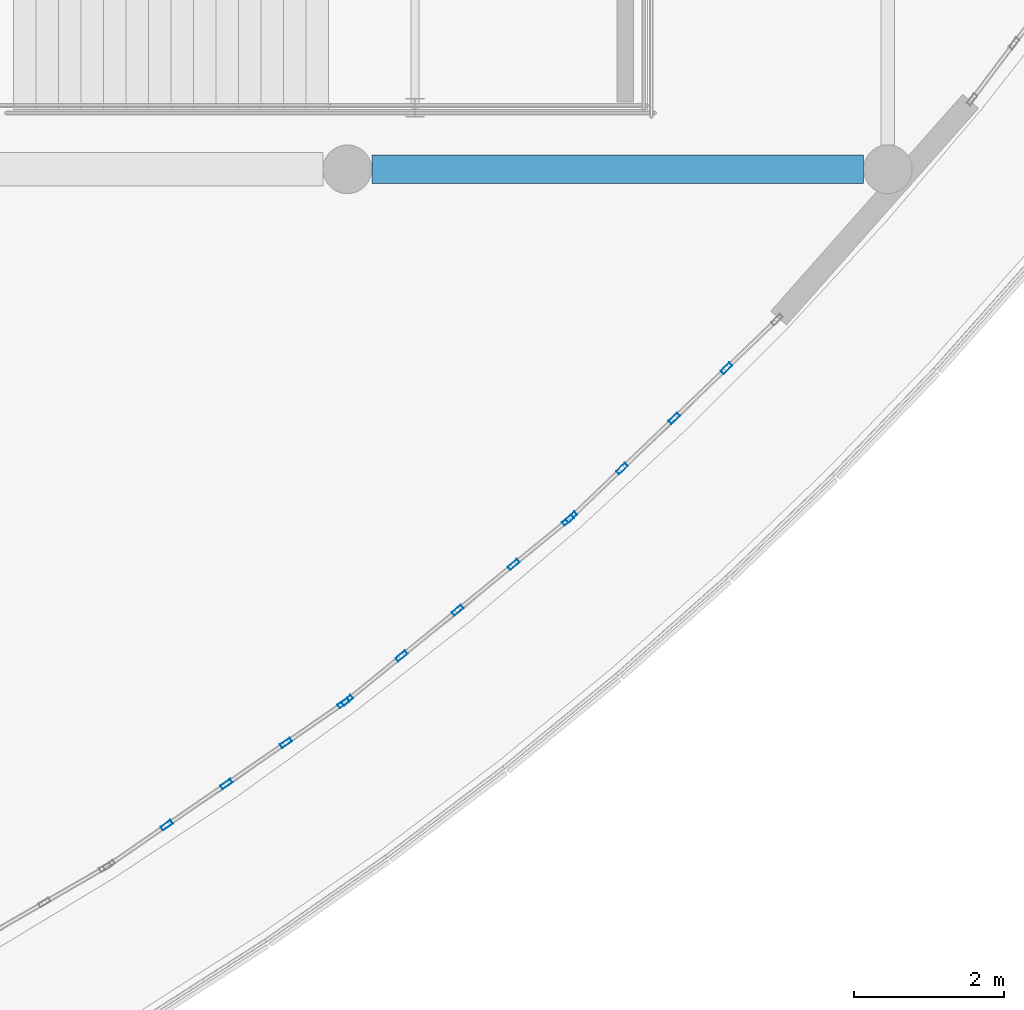
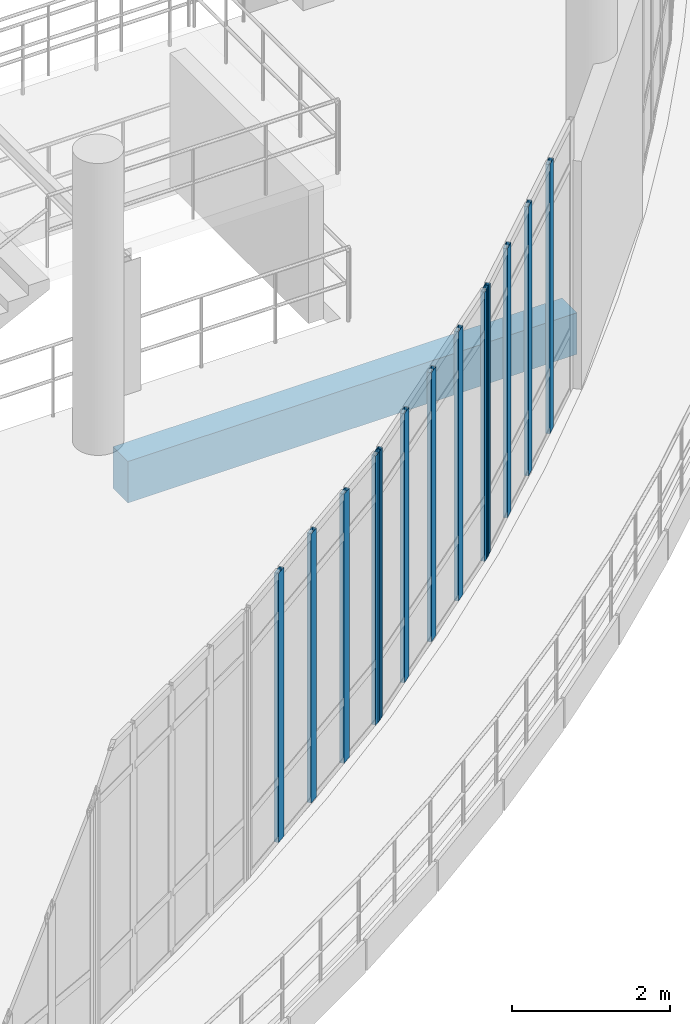
# One storey, part 39 of 124: 13 members, 1 beam, 3 elements without a shape of their own.
"""IFC4 building model written with IfcOpenShell, lengths in metres."""

from ifc_helpers import new_model, si_unit, direction, frame, origin, origin_2d, place, context, subcontext, project, spatial, rectangle, hollow_rectangle, extrude, material, material_profile, profile_set, type_object, element, aggregate, save


model = new_model("IFC4")

# Units and contexts
model_context = context("Model", 3, precision=1e-05, world=origin(), true_north=direction((0.0, 1.0)))
body_context = subcontext(model_context, "Body", "Model", "MODEL_VIEW")
ifc_project = project(units=[si_unit("LENGTHUNIT", "METRE"), si_unit("AREAUNIT", "SQUARE_METRE"), si_unit("VOLUMEUNIT", "CUBIC_METRE"), si_unit("PLANEANGLEUNIT", "RADIAN"), si_unit("MASSUNIT", "GRAM", prefix="KILO")], contexts=[model_context])

# Site, building, storey
site_placement = place(None, origin())
site = spatial("IfcSite", under=ifc_project, at=site_placement, CompositionType="ELEMENT")
building_placement = place(site_placement, origin())
building = spatial("IfcBuilding", under=site, at=building_placement, Name="Kalluvel Institute of Natural Sciences", CompositionType="ELEMENT")
storey_placement = place(building_placement, frame((0.0, 0.0, 9.89990234375)))
storey = spatial("IfcBuildingStorey", under=building, at=storey_placement, Name="L02", CompositionType="ELEMENT", Elevation=9.89990234375)

# Beam
ifc_material_1 = material(Name="Concrete M40", Category="concrete")
ifc_material_profile_1 = material_profile(ifc_material_1, rectangle(XDim=0.3798828125, YDim=0.639892578125, at=origin_2d()), Name="RCB 380x640")
ifc_profile_set_1 = profile_set([ifc_material_profile_1], Name="Concrete M40")
beam_type = type_object("IfcBeamType", Name="BM-RC380x640", PredefinedType="BEAM", material=ifc_profile_set_1)
beam_placement = place(storey_placement, frame((64.72509765625, 71.60009765625, -0.639892578125), z_axis=(1.0, 0.0, 0.0), x_axis=(0.0, 1.0, 0.0)))
element("IfcBeam", 1, at=beam_placement, inside=storey, type_object=beam_type, Name="L02 girder GIR-L02-EW-X644-Y716", PredefinedType="BEAM", context=body_context, shape_type="SweptSolid", body=[
    extrude(rectangle(XDim=0.3798828125, YDim=0.639892578125, at=origin_2d()), origin(), (0.0, 0.0, 1.0), 6.5498046875),
])

# Curtain wall, members
ifc_material_2 = material(Name="Aluminium AW-6063 T6", Category="aluminium")
curtain_wall_type = type_object("IfcCurtainWallType", Name="CW-ATR-ARC", PredefinedType="USERDEFINED", material=ifc_material_2)
curtain_wall_1_placement = place(storey_placement, origin())
curtain_wall_1 = element("IfcCurtainWall", 2, at=curtain_wall_1_placement, inside=storey, type_object=curtain_wall_type, Name="L02 Gothic lancet curtain wall CWA-L02-X612-Y623", ObjectType="UNITISED LANCET FACADE", PredefinedType="USERDEFINED")
ifc_material_profile_2 = material_profile(ifc_material_2, hollow_rectangle(XDim=0.06005859375, YDim=0.159912109375, WallThickness=0.00390625, at=origin_2d()), Name="CWM 60x160")
ifc_profile_set_2 = profile_set([ifc_material_profile_2], Name="Aluminium AW-6063 T6")
member_type = type_object("IfcMemberType", Name="CWM-60x160", PredefinedType="MULLION", material=ifc_profile_set_2)
member_1_placement = place(storey_placement, frame((61.99462890625, 62.86328125, 0.0), z_axis=(0.0, 0.0, 1.0), x_axis=(-0.568058217049, 0.822988372969, 0.0)))
member_1 = element("IfcMember", 3, at=member_1_placement, type_object=member_type, Name="CW-05 mullion 2", PredefinedType="MULLION", context=body_context, shape_type="SweptSolid", body=[
    extrude(hollow_rectangle(XDim=0.06005859375, YDim=0.159912109375, WallThickness=0.00390625, at=origin_2d()), origin(), (0.0, 0.0, 1.0), 4.150146484375),
])
member_2_placement = place(storey_placement, frame((62.788330078125, 63.4111328125, 0.0), z_axis=(0.0, 0.0, 1.0), x_axis=(-0.568058217049, 0.822988372969, 0.0)))
member_2 = element("IfcMember", 4, at=member_2_placement, type_object=member_type, Name="CW-05 mullion 3", PredefinedType="MULLION", context=body_context, shape_type="SweptSolid", body=[
    extrude(hollow_rectangle(XDim=0.06005859375, YDim=0.159912109375, WallThickness=0.00390625, at=origin_2d()), origin(), (0.0, 0.0, 1.0), 4.150146484375),
])
member_3_placement = place(storey_placement, frame((63.58203125, 63.958984375, 0.0), z_axis=(0.0, 0.0, 1.0), x_axis=(-0.568058217049, 0.822988372969, 0.0)))
member_3 = element("IfcMember", 5, at=member_3_placement, type_object=member_type, Name="CW-05 mullion 4", PredefinedType="MULLION", context=body_context, shape_type="SweptSolid", body=[
    extrude(hollow_rectangle(XDim=0.06005859375, YDim=0.159912109375, WallThickness=0.00390625, at=origin_2d()), origin(), (0.0, 0.0, 1.0), 4.150146484375),
])
member_4_placement = place(storey_placement, frame((64.350830078125, 64.48974609375, 0.0), z_axis=(0.0, 0.0, 1.0), x_axis=(-0.568058217049, 0.822988372969, 0.0)))
member_4 = element("IfcMember", 6, at=member_4_placement, type_object=member_type, Name="CW-05 mullion 5", PredefinedType="MULLION", context=body_context, shape_type="SweptSolid", body=[
    extrude(hollow_rectangle(XDim=0.06005859375, YDim=0.159912109375, WallThickness=0.00390625, at=origin_2d()), origin(), (0.0, 0.0, 1.0), 4.150146484375),
])
aggregate(curtain_wall_1, [member_1, member_2, member_3, member_4])

curtain_wall_2_placement = place(storey_placement, origin())
curtain_wall_2 = element("IfcCurtainWall", 7, at=curtain_wall_2_placement, inside=storey, type_object=curtain_wall_type, Name="L02 Gothic lancet curtain wall CWA-L02-X644-Y645", ObjectType="UNITISED LANCET FACADE", PredefinedType="USERDEFINED")
member_5_placement = place(storey_placement, frame((64.39892578125, 64.525634765625, 0.0), z_axis=(0.0, 0.0, 1.0), x_axis=(-0.632441255523, 0.774608325744, 0.0)))
member_5 = element("IfcMember", 8, at=member_5_placement, type_object=member_type, Name="CW-05 mullion 1", PredefinedType="MULLION", context=body_context, shape_type="SweptSolid", body=[
    extrude(hollow_rectangle(XDim=0.06005859375, YDim=0.159912109375, WallThickness=0.00390625, at=origin_2d()), origin(), (0.0, 0.0, 1.0), 4.150146484375),
])
member_6_placement = place(storey_placement, frame((65.12255859375, 65.11669921875, 0.0), z_axis=(0.0, 0.0, 1.0), x_axis=(-0.632441255523, 0.774608325744, 0.0)))
member_6 = element("IfcMember", 9, at=member_6_placement, type_object=member_type, Name="CW-05 mullion 2", PredefinedType="MULLION", context=body_context, shape_type="SweptSolid", body=[
    extrude(hollow_rectangle(XDim=0.06005859375, YDim=0.159912109375, WallThickness=0.00390625, at=origin_2d()), origin(), (0.0, 0.0, 1.0), 4.150146484375),
])
member_7_placement = place(storey_placement, frame((65.86962890625, 65.7265625, 0.0), z_axis=(0.0, 0.0, 1.0), x_axis=(-0.632441255523, 0.774608325744, 0.0)))
member_7 = element("IfcMember", 10, at=member_7_placement, type_object=member_type, Name="CW-05 mullion 3", PredefinedType="MULLION", context=body_context, shape_type="SweptSolid", body=[
    extrude(hollow_rectangle(XDim=0.06005859375, YDim=0.159912109375, WallThickness=0.00390625, at=origin_2d()), origin(), (0.0, 0.0, 1.0), 4.150146484375),
])
member_8_placement = place(storey_placement, frame((66.61669921875, 66.33642578125, 0.0), z_axis=(0.0, 0.0, 1.0), x_axis=(-0.632441255523, 0.774608325744, 0.0)))
member_8 = element("IfcMember", 11, at=member_8_placement, type_object=member_type, Name="CW-05 mullion 4", PredefinedType="MULLION", context=body_context, shape_type="SweptSolid", body=[
    extrude(hollow_rectangle(XDim=0.06005859375, YDim=0.159912109375, WallThickness=0.00390625, at=origin_2d()), origin(), (0.0, 0.0, 1.0), 4.150146484375),
])
member_9_placement = place(storey_placement, frame((67.34033203125, 66.92724609375, 0.0), z_axis=(0.0, 0.0, 1.0), x_axis=(-0.632441255523, 0.774608325744, 0.0)))
member_9 = element("IfcMember", 12, at=member_9_placement, type_object=member_type, Name="CW-05 mullion 5", PredefinedType="MULLION", context=body_context, shape_type="SweptSolid", body=[
    extrude(hollow_rectangle(XDim=0.06005859375, YDim=0.159912109375, WallThickness=0.00390625, at=origin_2d()), origin(), (0.0, 0.0, 1.0), 4.150146484375),
])
aggregate(curtain_wall_2, [member_5, member_6, member_7, member_8, member_9])

curtain_wall_3_placement = place(storey_placement, origin())
curtain_wall_3 = element("IfcCurtainWall", 13, at=curtain_wall_3_placement, inside=storey, type_object=curtain_wall_type, Name="L02 Gothic lancet curtain wall CWA-L02-X674-Y669", ObjectType="UNITISED LANCET FACADE", PredefinedType="USERDEFINED")
member_10_placement = place(storey_placement, frame((67.38525390625, 66.967041015625, 0.0), z_axis=(0.0, 0.0, 1.0), x_axis=(-0.692731463329, 0.721195618202, 0.0)))
member_10 = element("IfcMember", 14, at=member_10_placement, type_object=member_type, Name="CW-05 mullion 1", PredefinedType="MULLION", context=body_context, shape_type="SweptSolid", body=[
    extrude(hollow_rectangle(XDim=0.06005859375, YDim=0.159912109375, WallThickness=0.00390625, at=origin_2d()), origin(), (0.0, 0.0, 1.0), 4.150146484375),
])
member_11_placement = place(storey_placement, frame((68.05908203125, 67.6142578125, 0.0), z_axis=(0.0, 0.0, 1.0), x_axis=(-0.692731463329, 0.721195618202, 0.0)))
member_11 = element("IfcMember", 15, at=member_11_placement, type_object=member_type, Name="CW-05 mullion 2", PredefinedType="MULLION", context=body_context, shape_type="SweptSolid", body=[
    extrude(hollow_rectangle(XDim=0.06005859375, YDim=0.159912109375, WallThickness=0.00390625, at=origin_2d()), origin(), (0.0, 0.0, 1.0), 4.150146484375),
])
member_12_placement = place(storey_placement, frame((68.754638671875, 68.282470703125, 0.0), z_axis=(0.0, 0.0, 1.0), x_axis=(-0.692731463329, 0.721195618202, 0.0)))
member_12 = element("IfcMember", 16, at=member_12_placement, type_object=member_type, Name="CW-05 mullion 3", PredefinedType="MULLION", context=body_context, shape_type="SweptSolid", body=[
    extrude(hollow_rectangle(XDim=0.06005859375, YDim=0.159912109375, WallThickness=0.00390625, at=origin_2d()), origin(), (0.0, 0.0, 1.0), 4.150146484375),
])
member_13_placement = place(storey_placement, frame((69.4501953125, 68.950439453125, 0.0), z_axis=(0.0, 0.0, 1.0), x_axis=(-0.692731463329, 0.721195618202, 0.0)))
member_13 = element("IfcMember", 17, at=member_13_placement, type_object=member_type, Name="CW-05 mullion 4", PredefinedType="MULLION", context=body_context, shape_type="SweptSolid", body=[
    extrude(hollow_rectangle(XDim=0.06005859375, YDim=0.159912109375, WallThickness=0.00390625, at=origin_2d()), origin(), (0.0, 0.0, 1.0), 4.150146484375),
])
aggregate(curtain_wall_3, [member_10, member_11, member_12, member_13])

save(model, "model.ifc")
